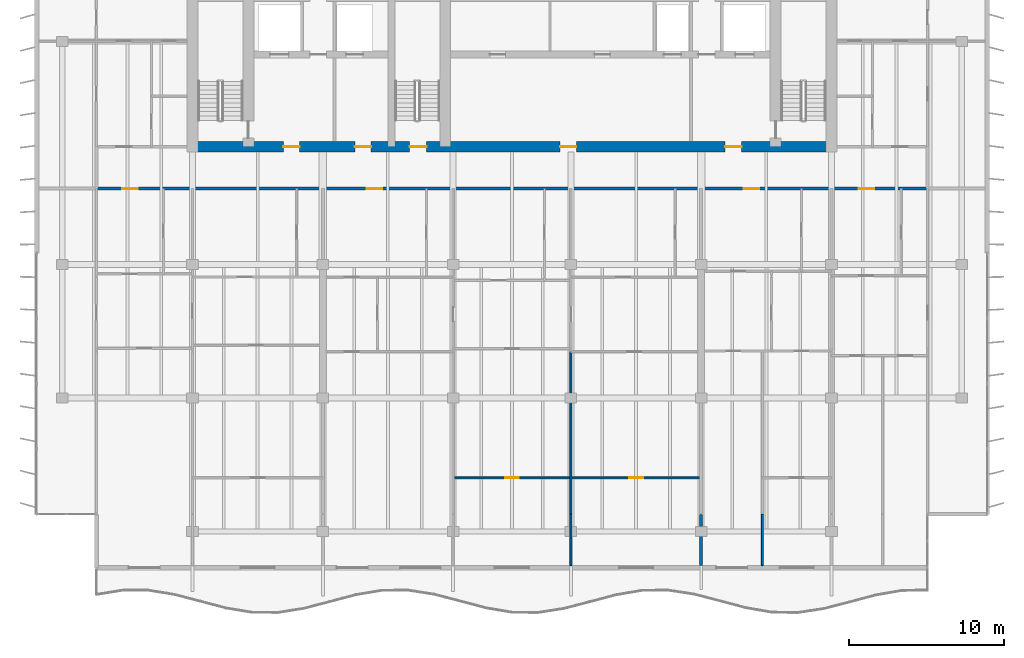
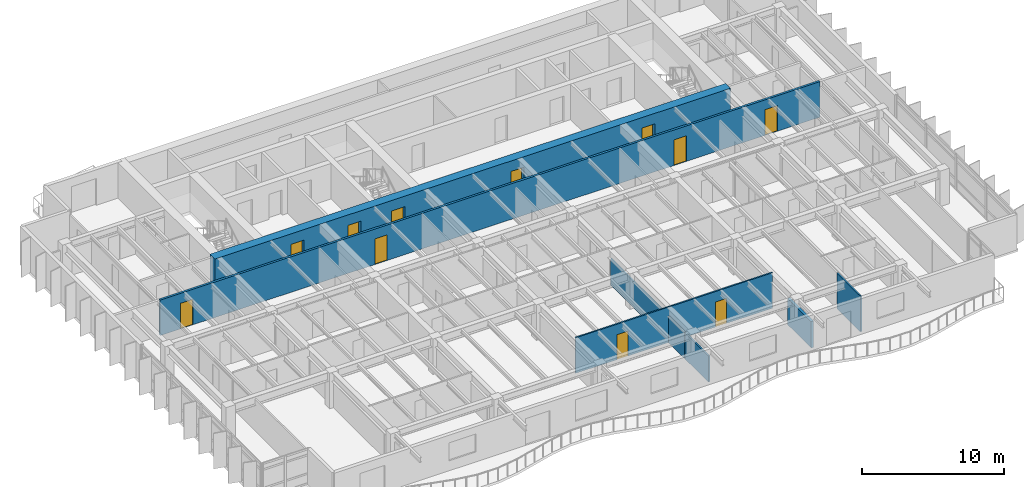
# One storey, part 9 of 17: 11 doors, 7 walls, 11 openings.
"""IFC4 building model written with IfcOpenShell, lengths in metres."""

from ifc_helpers import new_model, si_unit, direction, frame, frame_2d, origin, place, context, subcontext, project, spatial, rectangle, extrude, material, layer, layer_set, type_object, element, fill, save


model = new_model("IFC4")

# Units and contexts
model_context = context("Model", 3, precision=1e-05, world=origin(), true_north=direction((0.0, 1.0)))
body_context = subcontext(model_context, "Body", "Model", "MODEL_VIEW")
ifc_project = project(units=[si_unit("LENGTHUNIT", "METRE"), si_unit("AREAUNIT", "SQUARE_METRE"), si_unit("VOLUMEUNIT", "CUBIC_METRE"), si_unit("PLANEANGLEUNIT", "RADIAN"), si_unit("MASSUNIT", "GRAM", prefix="KILO")], contexts=[model_context])

# Site, building, storey
site_placement = place(None, origin())
site = spatial("IfcSite", under=ifc_project, at=site_placement, CompositionType="ELEMENT")
building_placement = place(site_placement, origin())
building = spatial("IfcBuilding", under=site, at=building_placement, Name="Caelmar Bay Residences", CompositionType="ELEMENT")
storey_placement = place(building_placement, frame((0.0, 0.0, 259.5)))
storey = spatial("IfcBuildingStorey", under=building, at=storey_placement, Name="L73", CompositionType="ELEMENT", Elevation=259.5)

# Wall, openings, doors
ifc_material_1 = material(Name="Concrete f'c 55 MPa (8,000 psi)", Category="concrete")
ifc_layer_1 = layer(ifc_material_1, 0.699951171875)
ifc_layer_set_1 = layer_set([ifc_layer_1], Name="Concrete f'c 55 MPa (8,000 psi)")
wall_type_1 = type_object("IfcWallType", Name="SW-COR-700", PredefinedType="SHEAR", material=ifc_layer_set_1)
wall_1_placement = place(storey_placement, frame((17.949951171875, 37.0, 0.0), z_axis=(0.0, 0.0, 1.0), x_axis=(1.0, 0.0, 0.0)))
wall_1 = element("IfcWall", 1, at=wall_1_placement, inside=storey, type_object=wall_type_1, Name="L73 Rear Core South Shear Wall", PredefinedType="SHEAR", context=body_context, shape_type="SweptSolid", body=[
    extrude(rectangle(XDim=41.900146484375, YDim=0.699951171875, at=frame_2d((20.9501953125, 0.0))), origin(), (0.0, 0.0, 1.0), 3.050048828125),
])
opening_1_placement = place(wall_1_placement, frame((14.35009765625, 0.0, 0.0)))
opening_1 = element("IfcOpeningElement", 2, at=opening_1_placement, cuts=wall_1, Name="Opening D-L73-105", PredefinedType="OPENING", context=body_context, shape_type="SweptSolid", body=[
    extrude(rectangle(XDim=1.10009765625, YDim=2.14990234375, at=frame_2d((0.550048828125, 1.074951171875))), frame((0.0, 0.35986328125, 0.0), z_axis=(0.0, -1.0, 0.0), x_axis=(1.0, 0.0, 0.0)), (0.0, 0.0, 1.0), 0.719970703125),
])
opening_2_placement = place(wall_1_placement, frame((6.199951171875, 0.0, 0.0)))
opening_2 = element("IfcOpeningElement", 3, at=opening_2_placement, cuts=wall_1, Name="Opening D-L73-106", PredefinedType="OPENING", context=body_context, shape_type="SweptSolid", body=[
    extrude(rectangle(XDim=1.050048828125, YDim=2.14990234375, at=frame_2d((0.52490234375, 1.074951171875))), frame((0.0, 0.35986328125, 0.0), z_axis=(0.0, -1.0, 0.0), x_axis=(1.0, 0.0, 0.0)), (0.0, 0.0, 1.0), 0.719970703125),
])
opening_3_placement = place(wall_1_placement, frame((34.699951171875, 0.0, 0.0)))
opening_3 = element("IfcOpeningElement", 4, at=opening_3_placement, cuts=wall_1, Name="Opening D-L73-109", PredefinedType="OPENING", context=body_context, shape_type="SweptSolid", body=[
    extrude(rectangle(XDim=1.050048828125, YDim=2.14990234375, at=frame_2d((0.52490234375, 1.074951171875))), frame((0.0, 0.35986328125, 0.0), z_axis=(0.0, -1.0, 0.0), x_axis=(1.0, 0.0, 0.0)), (0.0, 0.0, 1.0), 0.719970703125),
])
opening_4_placement = place(wall_1_placement, frame((10.8125, 0.0, 0.0)))
opening_4 = element("IfcOpeningElement", 5, at=opening_4_placement, cuts=wall_1, Name="Opening D-L73-112", PredefinedType="OPENING", context=body_context, shape_type="SweptSolid", body=[
    extrude(rectangle(XDim=1.050048828125, YDim=2.14990234375, at=frame_2d((0.52490234375, 1.074951171875))), frame((0.0, 0.35986328125, 0.0), z_axis=(0.0, -1.0, 0.0), x_axis=(1.0, 0.0, 0.0)), (0.0, 0.0, 1.0), 0.719970703125),
])
opening_5_placement = place(wall_1_placement, frame((24.050048828125, 0.0, 0.0)))
opening_5 = element("IfcOpeningElement", 6, at=opening_5_placement, cuts=wall_1, Name="Opening D-L73-113", PredefinedType="OPENING", context=body_context, shape_type="SweptSolid", body=[
    extrude(rectangle(XDim=1.050048828125, YDim=2.14990234375, at=frame_2d((0.52490234375, 1.074951171875))), frame((0.0, 0.35986328125, 0.0), z_axis=(0.0, -1.0, 0.0), x_axis=(1.0, 0.0, 0.0)), (0.0, 0.0, 1.0), 0.719970703125),
])
ifc_material_2 = material(Name="Fire-rated steel and walnut architectural door assembly", Category="steel")
ifc_layer_2 = layer(ifc_material_2, 0.050048828125)
ifc_layer_set_2 = layer_set([ifc_layer_2], Name="Fire-rated steel and walnut architectural door assembly")
door_type_1 = type_object("IfcDoorType", Name="D-FSAE-1050", OperationType="NOTDEFINED", PredefinedType="DOOR", material=ifc_layer_set_2)
door_1_placement = place(opening_2_placement, origin())
door_1 = element("IfcDoor", 7, at=door_1_placement, inside=storey, type_object=door_type_1, Name="L73 Firefighting Lobby West Door", OperationType="SINGLE_SWING_LEFT", OverallHeight=2.14990234375, OverallWidth=1.050048828125, PredefinedType="DOOR", context=body_context, shape_type="SweptSolid", body=[
    extrude(rectangle(XDim=1.050048828125, YDim=2.14990234375, at=frame_2d((0.52490234375, 1.074951171875))), frame((0.0, 0.02490234375, 0.0), z_axis=(0.0, -1.0, 0.0), x_axis=(1.0, 0.0, 0.0)), (0.0, 0.0, 1.0), 0.050048828125),
])
fill(opening_2, door_1)
door_2_placement = place(opening_3_placement, origin())
door_2 = element("IfcDoor", 8, at=door_2_placement, inside=storey, type_object=door_type_1, Name="L73 Firefighting Lobby East Door", OperationType="SINGLE_SWING_RIGHT", OverallHeight=2.14990234375, OverallWidth=1.050048828125, PredefinedType="DOOR", context=body_context, shape_type="SweptSolid", body=[
    extrude(rectangle(XDim=1.050048828125, YDim=2.14990234375, at=frame_2d((0.52490234375, 1.074951171875))), frame((0.0, 0.02490234375, 0.0), z_axis=(0.0, -1.0, 0.0), x_axis=(1.0, 0.0, 0.0)), (0.0, 0.0, 1.0), 0.050048828125),
])
fill(opening_3, door_2)
door_3_placement = place(opening_4_placement, origin())
door_3 = element("IfcDoor", 9, at=door_3_placement, inside=storey, type_object=door_type_1, Name="L73 West Lift Lobby Door", OperationType="SINGLE_SWING_LEFT", OverallHeight=2.14990234375, OverallWidth=1.050048828125, PredefinedType="DOOR", context=body_context, shape_type="SweptSolid", body=[
    extrude(rectangle(XDim=1.050048828125, YDim=2.14990234375, at=frame_2d((0.52490234375, 1.074951171875))), frame((0.0, 0.02490234375, 0.0), z_axis=(0.0, -1.0, 0.0), x_axis=(1.0, 0.0, 0.0)), (0.0, 0.0, 1.0), 0.050048828125),
])
fill(opening_4, door_3)
door_4_placement = place(opening_5_placement, origin())
door_4 = element("IfcDoor", 10, at=door_4_placement, inside=storey, type_object=door_type_1, Name="L73 Passenger Lift Lobby Door", OperationType="SINGLE_SWING_RIGHT", OverallHeight=2.14990234375, OverallWidth=1.050048828125, PredefinedType="DOOR", context=body_context, shape_type="SweptSolid", body=[
    extrude(rectangle(XDim=1.050048828125, YDim=2.14990234375, at=frame_2d((0.52490234375, 1.074951171875))), frame((0.0, 0.02490234375, 0.0), z_axis=(0.0, -1.0, 0.0), x_axis=(1.0, 0.0, 0.0)), (0.0, 0.0, 1.0), 0.050048828125),
])
fill(opening_5, door_4)
ifc_layer_3 = layer(ifc_material_2, 0.050048828125)
ifc_layer_set_3 = layer_set([ifc_layer_3], Name="Fire-rated steel and walnut architectural door assembly")
door_type_2 = type_object("IfcDoorType", Name="D-STAIR-1100", OperationType="NOTDEFINED", PredefinedType="DOOR", material=ifc_layer_set_3)
door_5_placement = place(opening_1_placement, origin())
door_5 = element("IfcDoor", 11, at=door_5_placement, inside=storey, type_object=door_type_2, Name="L73 Exit Stair ST3 Door", OperationType="SINGLE_SWING_RIGHT", OverallHeight=2.14990234375, OverallWidth=1.10009765625, PredefinedType="DOOR", context=body_context, shape_type="SweptSolid", body=[
    extrude(rectangle(XDim=1.10009765625, YDim=2.14990234375, at=frame_2d((0.550048828125, 1.074951171875))), frame((0.0, 0.02490234375, 0.0), z_axis=(0.0, -1.0, 0.0), x_axis=(1.0, 0.0, 0.0)), (0.0, 0.0, 1.0), 0.050048828125),
])
fill(opening_1, door_5)

ifc_material_3 = material(Name="Double-stud acoustic fire-rated gypsum partition 180 mm")
ifc_layer_4 = layer(ifc_material_3, 0.179931640625)
ifc_layer_set_4 = layer_set([ifc_layer_4], Name="Double-stud acoustic fire-rated gypsum partition 180 mm")
wall_type_2 = type_object("IfcWallType", Name="W-COR-200", PredefinedType="PARTITIONING", material=ifc_layer_set_4)
wall_2_placement = place(storey_placement, frame((12.10498046875, 34.300048828125, 0.0), z_axis=(0.0, 0.0, 1.0), x_axis=(1.0, 0.0, 0.0)))
wall_2 = element("IfcWall", 12, at=wall_2_placement, inside=storey, type_object=wall_type_2, Name="L73 Partition Wall H087", PredefinedType="PARTITIONING", context=body_context, shape_type="SweptSolid", body=[
    extrude(rectangle(XDim=53.594970703125, YDim=0.179931640625, at=frame_2d((26.79736328125, 0.0))), origin(), (0.0, 0.0, 1.0), 3.050048828125),
])
opening_6_placement = place(wall_2_placement, frame((1.660888671875, 0.0, 0.0)))
opening_6 = element("IfcOpeningElement", 13, at=opening_6_placement, cuts=wall_2, Name="Opening D-L73-120", PredefinedType="OPENING", context=body_context, shape_type="SweptSolid", body=[
    extrude(rectangle(XDim=1.0, YDim=2.199951171875, at=frame_2d((0.5, 1.10009765625))), frame((0.0, 0.099853515625, 0.0), z_axis=(0.0, -1.0, 0.0), x_axis=(1.0, 0.0, 0.0)), (0.0, 0.0, 1.0), 0.199951171875),
])
opening_7_placement = place(wall_2_placement, frame((17.4384765625, 0.0, 0.0)))
opening_7 = element("IfcOpeningElement", 14, at=opening_7_placement, cuts=wall_2, Name="Opening D-L73-129", PredefinedType="OPENING", context=body_context, shape_type="SweptSolid", body=[
    extrude(rectangle(XDim=1.0, YDim=2.199951171875, at=frame_2d((0.5, 1.10009765625))), frame((0.0, 0.099853515625, 0.0), z_axis=(0.0, -1.0, 0.0), x_axis=(1.0, 0.0, 0.0)), (0.0, 0.0, 1.0), 0.199951171875),
])
opening_8_placement = place(wall_2_placement, frame((41.72705078125, 0.0, 0.0)))
opening_8 = element("IfcOpeningElement", 15, at=opening_8_placement, cuts=wall_2, Name="Opening D-L73-144", PredefinedType="OPENING", context=body_context, shape_type="SweptSolid", body=[
    extrude(rectangle(XDim=1.0, YDim=2.199951171875, at=frame_2d((0.5, 1.10009765625))), frame((0.0, 0.099853515625, 0.0), z_axis=(0.0, -1.0, 0.0), x_axis=(1.0, 0.0, 0.0)), (0.0, 0.0, 1.0), 0.199951171875),
])
opening_9_placement = place(wall_2_placement, frame((49.14111328125, 0.0, 0.0)))
opening_9 = element("IfcOpeningElement", 16, at=opening_9_placement, cuts=wall_2, Name="Opening D-L73-151", PredefinedType="OPENING", context=body_context, shape_type="SweptSolid", body=[
    extrude(rectangle(XDim=1.0, YDim=2.199951171875, at=frame_2d((0.5, 1.10009765625))), frame((0.0, 0.099853515625, 0.0), z_axis=(0.0, -1.0, 0.0), x_axis=(1.0, 0.0, 0.0)), (0.0, 0.0, 1.0), 0.199951171875),
])
ifc_layer_5 = layer(ifc_material_2, 0.050048828125)
ifc_layer_set_5 = layer_set([ifc_layer_5], Name="Fire-rated steel and walnut architectural door assembly")
door_type_3 = type_object("IfcDoorType", Name="D-UNIT-1000", OperationType="NOTDEFINED", PredefinedType="DOOR", material=ifc_layer_set_5)
door_6_placement = place(opening_6_placement, origin())
door_6 = element("IfcDoor", 17, at=door_6_placement, inside=storey, type_object=door_type_3, Name="L73 Residence 01 Apartment Hall Door", OperationType="SINGLE_SWING_LEFT", OverallHeight=2.199951171875, OverallWidth=1.0, PredefinedType="DOOR", context=body_context, shape_type="SweptSolid", body=[
    extrude(rectangle(XDim=1.0, YDim=2.199951171875, at=frame_2d((0.5, 1.10009765625))), frame((0.0, 0.02490234375, 0.0), z_axis=(0.0, -1.0, 0.0), x_axis=(1.0, 0.0, 0.0)), (0.0, 0.0, 1.0), 0.050048828125),
])
fill(opening_6, door_6)
door_7_placement = place(opening_7_placement, origin())
door_7 = element("IfcDoor", 18, at=door_7_placement, inside=storey, type_object=door_type_3, Name="L73 Residence 02 Apartment Hall Door", OperationType="SINGLE_SWING_RIGHT", OverallHeight=2.199951171875, OverallWidth=1.0, PredefinedType="DOOR", context=body_context, shape_type="SweptSolid", body=[
    extrude(rectangle(XDim=1.0, YDim=2.199951171875, at=frame_2d((0.5, 1.10009765625))), frame((0.0, 0.02490234375, 0.0), z_axis=(0.0, -1.0, 0.0), x_axis=(1.0, 0.0, 0.0)), (0.0, 0.0, 1.0), 0.050048828125),
])
fill(opening_7, door_7)
door_8_placement = place(opening_8_placement, origin())
door_8 = element("IfcDoor", 19, at=door_8_placement, inside=storey, type_object=door_type_3, Name="L73 Residence 03 Apartment Hall Door", OperationType="SINGLE_SWING_LEFT", OverallHeight=2.199951171875, OverallWidth=1.0, PredefinedType="DOOR", context=body_context, shape_type="SweptSolid", body=[
    extrude(rectangle(XDim=1.0, YDim=2.199951171875, at=frame_2d((0.5, 1.10009765625))), frame((0.0, 0.02490234375, 0.0), z_axis=(0.0, -1.0, 0.0), x_axis=(1.0, 0.0, 0.0)), (0.0, 0.0, 1.0), 0.050048828125),
])
fill(opening_8, door_8)
door_9_placement = place(opening_9_placement, origin())
door_9 = element("IfcDoor", 20, at=door_9_placement, inside=storey, type_object=door_type_3, Name="L73 Residence 04 Apartment Hall Door", OperationType="SINGLE_SWING_RIGHT", OverallHeight=2.199951171875, OverallWidth=1.0, PredefinedType="DOOR", context=body_context, shape_type="SweptSolid", body=[
    extrude(rectangle(XDim=1.0, YDim=2.199951171875, at=frame_2d((0.5, 1.10009765625))), frame((0.0, 0.02490234375, 0.0), z_axis=(0.0, -1.0, 0.0), x_axis=(1.0, 0.0, 0.0)), (0.0, 0.0, 1.0), 0.050048828125),
])
fill(opening_9, door_9)

# Walls
ifc_material_4 = material(Name="Acoustic metal-stud gypsum partition 120 mm")
ifc_layer_6 = layer(ifc_material_4, 0.1201171875)
ifc_layer_set_6 = layer_set([ifc_layer_6], Name="Acoustic metal-stud gypsum partition 120 mm")
wall_type_3 = type_object("IfcWallType", Name="W-PRT-120", PredefinedType="PARTITIONING", material=ifc_layer_set_6)
wall_3_placement = place(storey_placement, frame((42.699951171875, 9.9951171875, 0.0), z_axis=(0.0, 0.0, 1.0), x_axis=(0.0, 1.0, 0.0)))
element("IfcWall", 21, at=wall_3_placement, inside=storey, type_object=wall_type_3, Name="L73 Partition Wall V034", PredefinedType="PARTITIONING", context=body_context, shape_type="SweptSolid", body=[
    extrude(rectangle(XDim=3.304931640625, YDim=0.1201171875, at=frame_2d((1.65234375, 0.0))), origin(), (0.0, 0.0, 1.0), 2.262939453125),
])
wall_4_placement = place(storey_placement, frame((42.699951171875, 13.340087890625, 0.0), z_axis=(0.0, 0.0, 1.0), x_axis=(0.0, 1.0, 0.0)))
element("IfcWall", 22, at=wall_4_placement, inside=storey, type_object=wall_type_3, Name="L73 Partition Wall V035", PredefinedType="PARTITIONING", context=body_context, shape_type="SweptSolid", body=[
    extrude(rectangle(XDim=10.43994140625, YDim=0.1201171875, at=frame_2d((5.219970703125, 0.0))), origin(), (0.0, 0.0, 1.0), 2.262939453125),
])
wall_5_placement = place(storey_placement, frame((55.048095703125, 9.9951171875, 0.0), z_axis=(0.0, 0.0, 1.0), x_axis=(0.0, 1.0, 0.0)))
element("IfcWall", 23, at=wall_5_placement, inside=storey, type_object=wall_type_3, Name="L73 Partition Wall V047", PredefinedType="PARTITIONING", context=body_context, shape_type="SweptSolid", body=[
    extrude(rectangle(XDim=3.304931640625, YDim=0.1201171875, at=frame_2d((1.65234375, 0.0))), origin(), (0.0, 0.0, 1.0), 3.050048828125),
])

# Wall, openings, doors
wall_6_placement = place(storey_placement, frame((35.10009765625, 15.64990234375, 0.0), z_axis=(0.0, 0.0, 1.0), x_axis=(1.0, 0.0, 0.0)))
wall_6 = element("IfcWall", 24, at=wall_6_placement, inside=storey, type_object=wall_type_3, Name="L73 Partition Wall H070", PredefinedType="PARTITIONING", context=body_context, shape_type="SweptSolid", body=[
    extrude(rectangle(XDim=16.0, YDim=0.1201171875, at=frame_2d((8.0, 0.0))), origin(), (0.0, 0.0, 1.0), 3.050048828125),
])
opening_10_placement = place(wall_6_placement, frame((3.35009765625, 0.0, 0.0)))
opening_10 = element("IfcOpeningElement", 25, at=opening_10_placement, cuts=wall_6, Name="Opening D-L73-138", PredefinedType="OPENING", context=body_context, shape_type="SweptSolid", body=[
    extrude(rectangle(XDim=0.89990234375, YDim=2.14990234375, at=frame_2d((0.449951171875, 1.074951171875))), frame((0.0, 0.070068359375, 0.0), z_axis=(0.0, -1.0, 0.0), x_axis=(1.0, 0.0, 0.0)), (0.0, 0.0, 1.0), 0.14013671875),
])
opening_11_placement = place(wall_6_placement, frame((11.35009765625, 0.0, 0.0)))
opening_11 = element("IfcOpeningElement", 26, at=opening_11_placement, cuts=wall_6, Name="Opening D-L73-143", PredefinedType="OPENING", context=body_context, shape_type="SweptSolid", body=[
    extrude(rectangle(XDim=0.89990234375, YDim=2.14990234375, at=frame_2d((0.449951171875, 1.074951171875))), frame((0.0, 0.070068359375, 0.0), z_axis=(0.0, -1.0, 0.0), x_axis=(1.0, 0.0, 0.0)), (0.0, 0.0, 1.0), 0.14013671875),
])
ifc_material_5 = material(Name="Solid walnut timber interior door leaf and frame", Category="wood")
ifc_layer_7 = layer(ifc_material_5, 0.050048828125)
ifc_layer_set_7 = layer_set([ifc_layer_7], Name="Solid walnut timber interior door leaf and frame")
door_type_4 = type_object("IfcDoorType", Name="D-ROOM-900", OperationType="NOTDEFINED", PredefinedType="DOOR", material=ifc_layer_set_7)
door_10_placement = place(opening_10_placement, origin())
door_10 = element("IfcDoor", 27, at=door_10_placement, inside=storey, type_object=door_type_4, Name="L73 Residence 02 Primary Bedroom 1 Door", OperationType="SINGLE_SWING_LEFT", OverallHeight=2.14990234375, OverallWidth=0.89990234375, PredefinedType="DOOR", context=body_context, shape_type="SweptSolid", body=[
    extrude(rectangle(XDim=0.89990234375, YDim=2.14990234375, at=frame_2d((0.449951171875, 1.074951171875))), frame((0.0, 0.02490234375, 0.0), z_axis=(0.0, -1.0, 0.0), x_axis=(1.0, 0.0, 0.0)), (0.0, 0.0, 1.0), 0.050048828125),
])
fill(opening_10, door_10)
door_11_placement = place(opening_11_placement, origin())
door_11 = element("IfcDoor", 28, at=door_11_placement, inside=storey, type_object=door_type_4, Name="L73 Residence 02 Primary Bedroom 2 Door", OperationType="SINGLE_SWING_RIGHT", OverallHeight=2.14990234375, OverallWidth=0.89990234375, PredefinedType="DOOR", context=body_context, shape_type="SweptSolid", body=[
    extrude(rectangle(XDim=0.89990234375, YDim=2.14990234375, at=frame_2d((0.449951171875, 1.074951171875))), frame((0.0, 0.02490234375, 0.0), z_axis=(0.0, -1.0, 0.0), x_axis=(1.0, 0.0, 0.0)), (0.0, 0.0, 1.0), 0.050048828125),
])
fill(opening_11, door_11)

# Wall
ifc_material_6 = material(Name="Acoustic twin-stud fire-rated inter-tenancy partition 200 mm")
ifc_layer_8 = layer(ifc_material_6, 0.199951171875)
ifc_layer_set_8 = layer_set([ifc_layer_8], Name="Acoustic twin-stud fire-rated inter-tenancy partition 200 mm")
wall_type_4 = type_object("IfcWallType", Name="W-PTY-200", PredefinedType="PARTITIONING", material=ifc_layer_set_8)
wall_7_placement = place(storey_placement, frame((51.10009765625, 9.9951171875, 0.0), z_axis=(0.0, 0.0, 1.0), x_axis=(0.0, 1.0, 0.0)))
element("IfcWall", 29, at=wall_7_placement, inside=storey, type_object=wall_type_4, Name="L73 Partition Wall V043", PredefinedType="PARTITIONING", context=body_context, shape_type="SweptSolid", body=[
    extrude(rectangle(XDim=3.304931640625, YDim=0.199951171875, at=frame_2d((1.65234375, 0.0))), origin(), (0.0, 0.0, 1.0), 2.262939453125),
])

save(model, "model.ifc")
